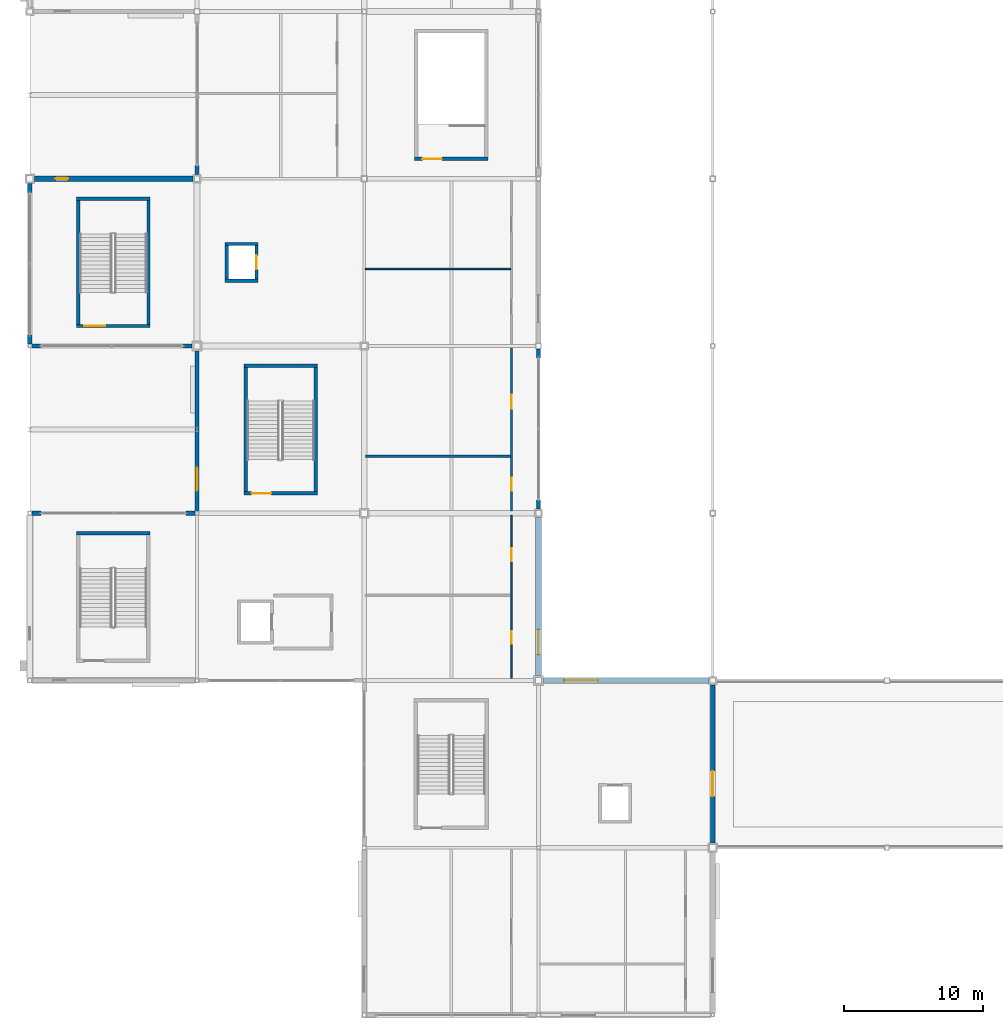
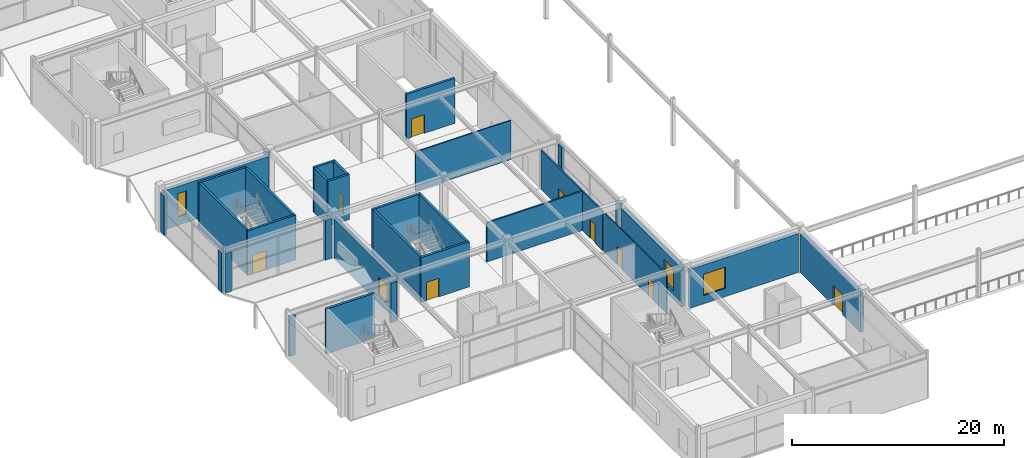
# One storey, part 73 of 105: 32 walls, 9 doors, 4 windows, 13 openings.
"""IFC4 building model written with IfcOpenShell, lengths in metres."""

from ifc_helpers import new_model, si_unit, direction, frame, frame_2d, origin, place, context, subcontext, project, spatial, rectangle, extrude, material, layer, layer_set, type_object, element, fill, save


model = new_model("IFC4")

# Units and contexts
model_context = context("Model", 3, precision=1e-05, world=origin(), true_north=direction((0.0, 1.0)))
body_context = subcontext(model_context, "Body", "Model", "MODEL_VIEW")
ifc_project = project(units=[si_unit("LENGTHUNIT", "METRE"), si_unit("AREAUNIT", "SQUARE_METRE"), si_unit("VOLUMEUNIT", "CUBIC_METRE"), si_unit("PLANEANGLEUNIT", "RADIAN"), si_unit("MASSUNIT", "GRAM", prefix="KILO")], contexts=[model_context])

# Site, building, storey
site_placement = place(None, origin())
site = spatial("IfcSite", under=ifc_project, at=site_placement, CompositionType="ELEMENT")
building_placement = place(site_placement, origin())
building = spatial("IfcBuilding", under=site, at=building_placement, Name="Kazenohara Klinker Stadium", CompositionType="ELEMENT")
storey_placement = place(building_placement, frame((0.0, 0.0, 20.39990234375)))
storey = spatial("IfcBuildingStorey", under=building, at=storey_placement, Name="L04", CompositionType="ELEMENT", Elevation=20.39990234375)

# Wall, opening, door
ifc_material_1 = material(Name="Concrete C40/50", Category="concrete")
ifc_layer_1 = layer(ifc_material_1, 0.22998046875)
ifc_layer_set_1 = layer_set([ifc_layer_1], Name="Concrete C40/50")
wall_type_1 = type_object("IfcWallType", Name="WAL-CORE-230", PredefinedType="SHEAR", material=ifc_layer_set_1)
wall_1_placement = place(storey_placement, frame((3.3701171875, 61.43505859375, 0.0), z_axis=(0.0, 0.0, 1.0), x_axis=(1.0, 0.0, 0.0)))
wall_1 = element("IfcWall", 1, at=wall_1_placement, inside=storey, type_object=wall_type_1, Name="Stairwell shear wall ST02 L04 South", PredefinedType="SHEAR", context=body_context, shape_type="SweptSolid", body=[
    extrude(rectangle(XDim=5.259765625, YDim=0.22998046875, at=frame_2d((2.6298828125, 0.0))), origin(), (0.0, 0.0, 1.0), 5.18017578125),
])
opening_1_placement = place(wall_1_placement, frame((0.550048828125, 0.0, 0.0)))
opening_1 = element("IfcOpeningElement", 2, at=opening_1_placement, cuts=wall_1, Name="Opening SD02", PredefinedType="OPENING", context=body_context, shape_type="SweptSolid", body=[
    extrude(rectangle(XDim=1.5, YDim=2.199951171875, at=frame_2d((0.75, 1.10009765625))), frame((0.0, 0.125, 0.0), z_axis=(0.0, -1.0, 0.0), x_axis=(1.0, 0.0, 0.0)), (0.0, 0.0, 1.0), 0.25),
])
ifc_material_2 = material(Name="Flush painted steel fire door leaf", Category="steel")
door_type_1 = type_object("IfcDoorType", Name="DR-STR-1500x2200", OperationType="NOTDEFINED", PredefinedType="DOOR", material=ifc_material_2)
door_1_placement = place(opening_1_placement, origin())
door_1 = element("IfcDoor", 3, at=door_1_placement, inside=storey, type_object=door_type_1, Name="Escape stairwell fire door ST02-L04", OperationType="SINGLE_SWING_LEFT", OverallHeight=2.199951171875, OverallWidth=1.5, PredefinedType="DOOR", context=body_context, shape_type="SweptSolid", body=[
    extrude(rectangle(XDim=1.5, YDim=2.199951171875, at=frame_2d((0.75, 1.10009765625))), frame((0.0, 0.02490234375, 0.0), z_axis=(0.0, -1.0, 0.0), x_axis=(1.0, 0.0, 0.0)), (0.0, 0.0, 1.0), 0.050048828125),
])
fill(opening_1, door_1)

# Walls
wall_2_placement = place(storey_placement, frame((3.3701171875, 70.56494140625, 0.0), z_axis=(0.0, 0.0, 1.0), x_axis=(1.0, 0.0, 0.0)))
element("IfcWall", 4, at=wall_2_placement, inside=storey, type_object=wall_type_1, Name="Stairwell shear wall ST02 L04 North", PredefinedType="SHEAR", context=body_context, shape_type="SweptSolid", body=[
    extrude(rectangle(XDim=5.259765625, YDim=0.22998046875, at=frame_2d((2.6298828125, 0.0))), origin(), (0.0, 0.0, 1.0), 5.18017578125),
])
for number, where, z_axis, x_axis, name in (
    (5, (3.485107421875, 61.550048828125, 0.0), (0.0, 0.0, 1.0), (0.0, 1.0, 0.0), "Stairwell shear wall ST02 L04 West"),
    (6, (8.514892578125, 61.550048828125, 0.0), (0.0, 0.0, 1.0), (0.0, 1.0, 0.0), "Stairwell shear wall ST02 L04 East"),
):
    element("IfcWall", number, at=place(storey_placement, frame(where, z_axis=z_axis, x_axis=x_axis)), inside=storey, type_object=wall_type_1, Name=name, PredefinedType="SHEAR", context=body_context, shape_type="SweptSolid", body=[
        extrude(rectangle(XDim=8.89990234375, YDim=0.22998046875, at=frame_2d((4.449951171875, 0.0))), origin(), (0.0, 0.0, 1.0), 5.18017578125),
    ])
for number, where, z_axis, x_axis, name in (
    (7, (14.02001953125, 64.68505859375, 0.0), (0.0, 0.0, 1.0), (1.0, 0.0, 0.0), "Elevator shaft wall LP01 L04 South"),
    (8, (14.02001953125, 67.31494140625, 0.0), (0.0, 0.0, 1.0), (1.0, 0.0, 0.0), "Elevator shaft wall LP01 L04 North"),
):
    element("IfcWall", number, at=place(storey_placement, frame(where, z_axis=z_axis, x_axis=x_axis)), inside=storey, type_object=wall_type_1, Name=name, PredefinedType="SHEAR", context=body_context, shape_type="SweptSolid", body=[
        extrude(rectangle(XDim=2.35986328125, YDim=0.22998046875, at=frame_2d((1.179931640625, 0.0))), origin(), (0.0, 0.0, 1.0), 5.18017578125),
    ])
wall_3_placement = place(storey_placement, frame((14.135009765625, 64.800048828125, 0.0), z_axis=(0.0, 0.0, 1.0), x_axis=(0.0, 1.0, 0.0)))
element("IfcWall", 9, at=wall_3_placement, inside=storey, type_object=wall_type_1, Name="Elevator shaft wall LP01 L04 West", PredefinedType="SHEAR", context=body_context, shape_type="SweptSolid", body=[
    extrude(rectangle(XDim=2.39990234375, YDim=0.22998046875, at=frame_2d((1.199951171875, 0.0))), origin(), (0.0, 0.0, 1.0), 5.18017578125),
])

# Wall, opening, door
wall_4_placement = place(storey_placement, frame((16.264892578125, 64.800048828125, 0.0), z_axis=(0.0, 0.0, 1.0), x_axis=(0.0, 1.0, 0.0)))
wall_4 = element("IfcWall", 10, at=wall_4_placement, inside=storey, type_object=wall_type_1, Name="Elevator shaft wall LP01 L04 East", PredefinedType="SHEAR", context=body_context, shape_type="SweptSolid", body=[
    extrude(rectangle(XDim=2.39990234375, YDim=0.22998046875, at=frame_2d((1.199951171875, 0.0))), origin(), (0.0, 0.0, 1.0), 5.18017578125),
])
opening_2_placement = place(wall_4_placement, frame((0.699951171875, 0.0, 0.0)))
opening_2 = element("IfcOpeningElement", 11, at=opening_2_placement, cuts=wall_4, Name="Opening LD02", PredefinedType="OPENING", context=body_context, shape_type="SweptSolid", body=[
    extrude(rectangle(XDim=1.0, YDim=2.14990234375, at=frame_2d((0.5, 1.074951171875))), frame((0.0, 0.125, 0.0), z_axis=(0.0, -1.0, 0.0), x_axis=(1.0, 0.0, 0.0)), (0.0, 0.0, 1.0), 0.25),
])
ifc_material_3 = material(Name="Stainless steel sliding landing door", Category="steel")
door_type_2 = type_object("IfcDoorType", Name="DR-LD02-1000x2150", OperationType="NOTDEFINED", PredefinedType="DOOR", material=ifc_material_3)
door_2_placement = place(opening_2_placement, origin())
door_2 = element("IfcDoor", 12, at=door_2_placement, inside=storey, type_object=door_type_2, Name="Elevator sliding landing door LP01-L04", OperationType="DOUBLE_DOOR_SLIDING", OverallHeight=2.14990234375, OverallWidth=1.0, PredefinedType="DOOR", context=body_context, shape_type="SweptSolid", body=[
    extrude(rectangle(XDim=1.0, YDim=2.14990234375, at=frame_2d((0.5, 1.074951171875))), frame((0.0, 0.02490234375, 0.0), z_axis=(0.0, -1.0, 0.0), x_axis=(1.0, 0.0, 0.0)), (0.0, 0.0, 1.0), 0.050048828125),
])
fill(opening_2, door_2)

# Wall
ifc_layer_2 = layer(ifc_material_1, 0.25)
ifc_layer_set_2 = layer_set([ifc_layer_2], Name="Concrete C40/50")
wall_type_2 = type_object("IfcWallType", Name="WAL-CORE-250", PredefinedType="SHEAR", material=ifc_layer_set_2)
wall_5_placement = place(storey_placement, frame((3.360107421875, 46.574951171875, 0.0), z_axis=(0.0, 0.0, 1.0), x_axis=(1.0, 0.0, 0.0)))
element("IfcWall", 13, at=wall_5_placement, inside=storey, type_object=wall_type_2, Name="Stairwell shear wall ST01 L04 North", PredefinedType="SHEAR", context=body_context, shape_type="SweptSolid", body=[
    extrude(rectangle(XDim=5.27978515625, YDim=0.25, at=frame_2d((2.639892578125, 0.0))), origin(), (0.0, 0.0, 1.0), 5.18017578125),
])

# Wall, opening, door
wall_6_placement = place(storey_placement, frame((15.360107421875, 49.425048828125, 0.0), z_axis=(0.0, 0.0, 1.0), x_axis=(1.0, 0.0, 0.0)))
wall_6 = element("IfcWall", 14, at=wall_6_placement, inside=storey, type_object=wall_type_2, Name="Stairwell shear wall ST13 L04 South", PredefinedType="SHEAR", context=body_context, shape_type="SweptSolid", body=[
    extrude(rectangle(XDim=5.27978515625, YDim=0.25, at=frame_2d((2.639892578125, 0.0))), origin(), (0.0, 0.0, 1.0), 5.18017578125),
])
opening_3_placement = place(wall_6_placement, frame((0.550048828125, 0.0, 0.0)))
opening_3 = element("IfcOpeningElement", 15, at=opening_3_placement, cuts=wall_6, Name="Opening SD01", PredefinedType="OPENING", context=body_context, shape_type="SweptSolid", body=[
    extrude(rectangle(XDim=1.39990234375, YDim=2.14990234375, at=frame_2d((0.699951171875, 1.074951171875))), frame((0.0, 0.135009765625, 0.0), z_axis=(0.0, -1.0, 0.0), x_axis=(1.0, 0.0, 0.0)), (0.0, 0.0, 1.0), 0.27001953125),
])
door_type_3 = type_object("IfcDoorType", Name="DR-STR-1400x2150", OperationType="NOTDEFINED", PredefinedType="DOOR", material=ifc_material_2)
door_3_placement = place(opening_3_placement, origin())
door_3 = element("IfcDoor", 16, at=door_3_placement, inside=storey, type_object=door_type_3, Name="Escape stairwell fire door ST13-L04", OperationType="SINGLE_SWING_LEFT", OverallHeight=2.14990234375, OverallWidth=1.39990234375, PredefinedType="DOOR", context=body_context, shape_type="SweptSolid", body=[
    extrude(rectangle(XDim=1.39990234375, YDim=2.14990234375, at=frame_2d((0.699951171875, 1.074951171875))), frame((0.0, 0.02490234375, 0.0), z_axis=(0.0, -1.0, 0.0), x_axis=(1.0, 0.0, 0.0)), (0.0, 0.0, 1.0), 0.050048828125),
])
fill(opening_3, door_3)

# Walls
wall_7_placement = place(storey_placement, frame((15.360107421875, 58.574951171875, 0.0), z_axis=(0.0, 0.0, 1.0), x_axis=(1.0, 0.0, 0.0)))
element("IfcWall", 17, at=wall_7_placement, inside=storey, type_object=wall_type_2, Name="Stairwell shear wall ST13 L04 North", PredefinedType="SHEAR", context=body_context, shape_type="SweptSolid", body=[
    extrude(rectangle(XDim=5.27978515625, YDim=0.25, at=frame_2d((2.639892578125, 0.0))), origin(), (0.0, 0.0, 1.0), 5.18017578125),
])
for number, where, z_axis, x_axis, name in (
    (18, (15.485107421875, 49.550048828125, 0.0), (0.0, 0.0, 1.0), (0.0, 1.0, 0.0), "Stairwell shear wall ST13 L04 West"),
    (19, (20.514892578125, 49.550048828125, 0.0), (0.0, 0.0, 1.0), (0.0, 1.0, 0.0), "Stairwell shear wall ST13 L04 East"),
):
    element("IfcWall", number, at=place(storey_placement, frame(where, z_axis=z_axis, x_axis=x_axis)), inside=storey, type_object=wall_type_2, Name=name, PredefinedType="SHEAR", context=body_context, shape_type="SweptSolid", body=[
        extrude(rectangle(XDim=8.89990234375, YDim=0.25, at=frame_2d((4.449951171875, 0.0))), origin(), (0.0, 0.0, 1.0), 5.18017578125),
    ])

# Wall, opening, door
wall_8_placement = place(storey_placement, frame((27.610107421875, 73.425048828125, 0.0), z_axis=(0.0, 0.0, 1.0), x_axis=(1.0, 0.0, 0.0)))
wall_8 = element("IfcWall", 20, at=wall_8_placement, inside=storey, type_object=wall_type_2, Name="Stairwell shear wall ST17 L04 South", PredefinedType="SHEAR", context=body_context, shape_type="SweptSolid", body=[
    extrude(rectangle(XDim=5.27978515625, YDim=0.25, at=frame_2d((2.639892578125, 0.0))), origin(), (0.0, 0.0, 1.0), 5.18017578125),
])
opening_4_placement = place(wall_8_placement, frame((0.550048828125, 0.0, 0.0)))
opening_4 = element("IfcOpeningElement", 21, at=opening_4_placement, cuts=wall_8, Name="Opening SD01", PredefinedType="OPENING", context=body_context, shape_type="SweptSolid", body=[
    extrude(rectangle(XDim=1.39990234375, YDim=2.14990234375, at=frame_2d((0.699951171875, 1.074951171875))), frame((0.0, 0.135009765625, 0.0), z_axis=(0.0, -1.0, 0.0), x_axis=(1.0, 0.0, 0.0)), (0.0, 0.0, 1.0), 0.27001953125),
])
door_4_placement = place(opening_4_placement, origin())
door_4 = element("IfcDoor", 22, at=door_4_placement, inside=storey, type_object=door_type_3, Name="Escape stairwell fire door ST17-L04", OperationType="SINGLE_SWING_LEFT", OverallHeight=2.14990234375, OverallWidth=1.39990234375, PredefinedType="DOOR", context=body_context, shape_type="SweptSolid", body=[
    extrude(rectangle(XDim=1.39990234375, YDim=2.14990234375, at=frame_2d((0.699951171875, 1.074951171875))), frame((0.0, 0.02490234375, 0.0), z_axis=(0.0, -1.0, 0.0), x_axis=(1.0, 0.0, 0.0)), (0.0, 0.0, 1.0), 0.050048828125),
])
fill(opening_4, door_4)

# Walls
ifc_material_4 = material(Name="Clinker brick masonry", Category="masonry")
ifc_layer_3 = layer(ifc_material_4, 0.31005859375)
ifc_layer_set_3 = layer_set([ifc_layer_3], Name="Clinker brick masonry")
wall_type_3 = type_object("IfcWallType", Name="WAL-EXT-CB310", PredefinedType="SOLIDWALL", material=ifc_layer_set_3)
wall_9_placement = place(storey_placement, frame((0.154052734375, 48.0, 0.0), z_axis=(0.0, 0.0, 1.0), x_axis=(1.0, 0.0, 0.0)))
element("IfcWall", 23, at=wall_9_placement, inside=storey, type_object=wall_type_3, Name="Clinker brick curtain-wall jamb pier L04 X0-4 A", PredefinedType="SOLIDWALL", context=body_context, shape_type="SweptSolid", body=[
    extrude(rectangle(XDim=0.64990234375, YDim=0.31005859375, at=frame_2d((0.324951171875, 0.0))), origin(), (0.0, 0.0, 1.0), 4.580078125),
])
wall_10_placement = place(storey_placement, frame((11.220947265625, 48.0, 0.0), z_axis=(0.0, 0.0, 1.0), x_axis=(1.0, 0.0, 0.0)))
element("IfcWall", 24, at=wall_10_placement, inside=storey, type_object=wall_type_3, Name="Clinker brick curtain-wall jamb pier L04 X0-4 B", PredefinedType="SOLIDWALL", context=body_context, shape_type="SweptSolid", body=[
    extrude(rectangle(XDim=0.650146484375, YDim=0.31005859375, at=frame_2d((0.3251953125, 0.0))), origin(), (0.0, 0.0, 1.0), 4.580078125),
])
wall_11_placement = place(storey_placement, frame((0.12890625, 60.0, 0.0), z_axis=(0.0, 0.0, 1.0), x_axis=(1.0, 0.0, 0.0)))
element("IfcWall", 25, at=wall_11_placement, inside=storey, type_object=wall_type_3, Name="Clinker brick curtain-wall jamb pier L04 X0-5 A", PredefinedType="SOLIDWALL", context=body_context, shape_type="SweptSolid", body=[
    extrude(rectangle(XDim=0.650146484375, YDim=0.31005859375, at=frame_2d((0.3251953125, 0.0))), origin(), (0.0, 0.0, 1.0), 4.592041015625),
])
wall_12_placement = place(storey_placement, frame((10.99609375, 60.0, 0.0), z_axis=(0.0, 0.0, 1.0), x_axis=(1.0, 0.0, 0.0)))
element("IfcWall", 26, at=wall_12_placement, inside=storey, type_object=wall_type_3, Name="Clinker brick curtain-wall jamb pier L04 X0-5 B", PredefinedType="SOLIDWALL", context=body_context, shape_type="SweptSolid", body=[
    extrude(rectangle(XDim=0.64990234375, YDim=0.31005859375, at=frame_2d((0.324951171875, 0.0))), origin(), (0.0, 0.0, 1.0), 4.592041015625),
])
wall_13_placement = place(storey_placement, frame((0.0, 60.12890625, 0.0), z_axis=(0.0, 0.0, 1.0), x_axis=(0.0, 1.0, 0.0)))
element("IfcWall", 27, at=wall_13_placement, inside=storey, type_object=wall_type_3, Name="Clinker brick curtain-wall jamb pier L04 Y0-5 A", PredefinedType="SOLIDWALL", context=body_context, shape_type="SweptSolid", body=[
    extrude(rectangle(XDim=0.650146484375, YDim=0.31005859375, at=frame_2d((0.3251953125, 0.0))), origin(), (0.0, 0.0, 1.0), 4.592041015625),
])
wall_14_placement = place(storey_placement, frame((0.0, 70.99609375, 0.0), z_axis=(0.0, 0.0, 1.0), x_axis=(0.0, 1.0, 0.0)))
element("IfcWall", 28, at=wall_14_placement, inside=storey, type_object=wall_type_3, Name="Clinker brick curtain-wall jamb pier L04 Y0-5 B", PredefinedType="SOLIDWALL", context=body_context, shape_type="SweptSolid", body=[
    extrude(rectangle(XDim=0.64990234375, YDim=0.31005859375, at=frame_2d((0.324951171875, 0.0))), origin(), (0.0, 0.0, 1.0), 4.592041015625),
])

# Wall, opening, window
wall_15_placement = place(storey_placement, frame((12.0, 48.12890625, 0.0), z_axis=(0.0, 0.0, 1.0), x_axis=(0.0, 1.0, 0.0)))
wall_15 = element("IfcWall", 29, at=wall_15_placement, inside=storey, type_object=wall_type_3, Name="Clinker brick cavity wall EW05 L04 Y1-4", PredefinedType="SOLIDWALL", context=body_context, shape_type="SweptSolid", body=[
    extrude(rectangle(XDim=11.51708984375, YDim=0.31005859375, at=frame_2d((5.758544921875, 0.0))), origin(), (0.0, 0.0, 1.0), 4.592041015625),
])
opening_5_placement = place(wall_15_placement, frame((1.5, 0.0, 0.949951171875)))
opening_5 = element("IfcOpeningElement", 30, at=opening_5_placement, cuts=wall_15, Name="Opening W11", PredefinedType="OPENING", context=body_context, shape_type="SweptSolid", body=[
    extrude(rectangle(XDim=1.64990234375, YDim=2.050048828125, at=frame_2d((0.824951171875, 1.02490234375))), frame((0.0, 0.1650390625, 0.0), z_axis=(0.0, -1.0, 0.0), x_axis=(1.0, 0.0, 0.0)), (0.0, 0.0, 1.0), 0.330078125),
])
ifc_material_5 = material(Name="Dark bronze aluminium frame and triple glazing", Category="aluminium")
window_type_1 = type_object("IfcWindowType", Name="WIN-AS-11", PartitioningType="SINGLE_PANEL", PredefinedType="WINDOW", material=ifc_material_5)
window_1_placement = place(opening_5_placement, origin())
window_1 = element("IfcWindow", 31, at=window_1_placement, inside=storey, type_object=window_type_1, Name="Horizontal-mullion ladder window W11 L04 Y1-4", OverallHeight=2.050048828125, OverallWidth=1.64990234375, PartitioningType="SINGLE_PANEL", PredefinedType="WINDOW", context=body_context, shape_type="SweptSolid", body=[
    extrude(rectangle(XDim=1.64990234375, YDim=2.050048828125, at=frame_2d((0.824951171875, 1.02490234375))), frame((0.0, 0.030029296875, 0.0), z_axis=(0.0, -1.0, 0.0), x_axis=(1.0, 0.0, 0.0)), (0.0, 0.0, 1.0), 0.06005859375),
])
fill(opening_5, window_1)

# Walls
for number, where, z_axis, x_axis, name in (
    (32, (12.0, 72.303955078125, 0.0), (0.0, 0.0, 1.0), (0.0, 1.0, 0.0), "Clinker brick curtain-wall jamb pier L04 Y1-6 A"),
    (33, (36.5, 48.303955078125, 0.0), (0.0, 0.0, 1.0), (0.0, 1.0, 0.0), "Clinker brick curtain-wall jamb pier L04 Y3-4 A"),
):
    element("IfcWall", number, at=place(storey_placement, frame(where, z_axis=z_axis, x_axis=x_axis)), inside=storey, type_object=wall_type_3, Name=name, PredefinedType="SOLIDWALL", context=body_context, shape_type="SweptSolid", body=[
        extrude(rectangle(XDim=0.650146484375, YDim=0.31005859375, at=frame_2d((0.3251953125, 0.0))), origin(), (0.0, 0.0, 1.0), 4.580078125),
    ])
wall_16_placement = place(storey_placement, frame((36.5, 59.14599609375, 0.0), z_axis=(0.0, 0.0, 1.0), x_axis=(0.0, 1.0, 0.0)))
element("IfcWall", 34, at=wall_16_placement, inside=storey, type_object=wall_type_3, Name="Clinker brick curtain-wall jamb pier L04 Y3-4 B", PredefinedType="SOLIDWALL", context=body_context, shape_type="SweptSolid", body=[
    extrude(rectangle(XDim=0.64990234375, YDim=0.31005859375, at=frame_2d((0.324951171875, 0.0))), origin(), (0.0, 0.0, 1.0), 4.580078125),
])

# Wall, opening, door
ifc_layer_4 = layer(ifc_material_4, 0.340087890625)
ifc_layer_set_4 = layer_set([ifc_layer_4], Name="Clinker brick masonry")
wall_type_4 = type_object("IfcWallType", Name="WAL-EXT-CB340", PredefinedType="SOLIDWALL", material=ifc_layer_set_4)
wall_17_placement = place(storey_placement, frame((49.0, 24.35400390625, 0.0), z_axis=(0.0, 0.0, 1.0), x_axis=(0.0, 1.0, 0.0)))
wall_17 = element("IfcWall", 35, at=wall_17_placement, inside=storey, type_object=wall_type_4, Name="Clinker brick cavity wall EW04 L04 Y4-2", PredefinedType="SOLIDWALL", context=body_context, shape_type="SweptSolid", body=[
    extrude(rectangle(XDim=11.342041015625, YDim=0.340087890625, at=frame_2d((5.6708984375, 0.0))), origin(), (0.0, 0.0, 1.0), 4.47998046875),
])
opening_6_placement = place(wall_17_placement, frame((5.1396484375, 0.0, 0.0), z_axis=(0.0, 0.0, 1.0), x_axis=(-1.0, 0.0, 0.0)))
opening_6 = element("IfcOpeningElement", 36, at=opening_6_placement, cuts=wall_17, Name="Opening TD01", PredefinedType="OPENING", context=body_context, shape_type="SweptSolid", body=[
    extrude(rectangle(XDim=1.800048828125, YDim=2.300048828125, at=frame_2d((0.89990234375, 1.14990234375))), frame((0.0, 0.18017578125, 0.0), z_axis=(0.0, -1.0, 0.0), x_axis=(1.0, 0.0, 0.0)), (0.0, 0.0, 1.0), 0.360107421875),
])
ifc_material_6 = material(Name="Thermally broken aluminium and triple glazing", Category="aluminium")
door_type_4 = type_object("IfcDoorType", Name="DR-TER-1800x2300", OperationType="NOTDEFINED", PredefinedType="DOOR", material=ifc_material_6)
door_5_placement = place(opening_6_placement, origin())
door_5 = element("IfcDoor", 37, at=door_5_placement, inside=storey, type_object=door_type_4, Name="South roof garden terrace door TDS-01", OperationType="DOUBLE_DOOR_SINGLE_SWING", OverallHeight=2.300048828125, OverallWidth=1.800048828125, PredefinedType="DOOR", context=body_context, shape_type="SweptSolid", body=[
    extrude(rectangle(XDim=1.800048828125, YDim=2.300048828125, at=frame_2d((0.89990234375, 1.14990234375))), frame((0.0, 0.02490234375, 0.0), z_axis=(0.0, -1.0, 0.0), x_axis=(1.0, 0.0, 0.0)), (0.0, 0.0, 1.0), 0.050048828125),
])
fill(opening_6, door_5)

# Wall, opening, window
ifc_layer_5 = layer(ifc_material_4, 0.3701171875)
ifc_layer_set_5 = layer_set([ifc_layer_5], Name="Clinker brick masonry")
wall_type_5 = type_object("IfcWallType", Name="WAL-EXT-CB370", PredefinedType="SOLIDWALL", material=ifc_layer_set_5)
wall_18_placement = place(storey_placement, frame((0.35400390625, 72.0, 0.0), z_axis=(0.0, 0.0, 1.0), x_axis=(1.0, 0.0, 0.0)))
wall_18 = element("IfcWall", 38, at=wall_18_placement, inside=storey, type_object=wall_type_5, Name="Clinker brick cavity wall EW03 L04 X0-6", PredefinedType="SOLIDWALL", context=body_context, shape_type="SweptSolid", body=[
    extrude(rectangle(XDim=11.342041015625, YDim=0.3701171875, at=frame_2d((5.6708984375, 0.0))), origin(), (0.0, 0.0, 1.0), 4.47998046875),
])
opening_7_placement = place(wall_18_placement, frame((1.5, 0.0, 0.949951171875)))
opening_7 = element("IfcOpeningElement", 39, at=opening_7_placement, cuts=wall_18, Name="Opening W03", PredefinedType="OPENING", context=body_context, shape_type="SweptSolid", body=[
    extrude(rectangle(XDim=0.89990234375, YDim=2.699951171875, at=frame_2d((0.449951171875, 1.35009765625))), frame((0.0, 0.195068359375, 0.0), z_axis=(0.0, -1.0, 0.0), x_axis=(1.0, 0.0, 0.0)), (0.0, 0.0, 1.0), 0.39013671875),
])
window_type_2 = type_object("IfcWindowType", Name="WIN-AS-03", PartitioningType="SINGLE_PANEL", PredefinedType="WINDOW", material=ifc_material_5)
window_2_placement = place(opening_7_placement, origin())
window_2 = element("IfcWindow", 40, at=window_2_placement, inside=storey, type_object=window_type_2, Name="Horizontal-mullion ladder window W03 L04 X0-6", OverallHeight=2.699951171875, OverallWidth=0.89990234375, PartitioningType="SINGLE_PANEL", PredefinedType="WINDOW", context=body_context, shape_type="SweptSolid", body=[
    extrude(rectangle(XDim=0.89990234375, YDim=2.699951171875, at=frame_2d((0.449951171875, 1.35009765625))), frame((0.0, 0.030029296875, 0.0), z_axis=(0.0, -1.0, 0.0), x_axis=(1.0, 0.0, 0.0)), (0.0, 0.0, 1.0), 0.06005859375),
])
fill(opening_7, window_2)

wall_19_placement = place(storey_placement, frame((36.85400390625, 36.0, 0.0), z_axis=(0.0, 0.0, 1.0), x_axis=(1.0, 0.0, 0.0)))
wall_19 = element("IfcWall", 41, at=wall_19_placement, inside=storey, type_object=wall_type_5, Name="Clinker brick cavity wall EW03 L04 X3-3", PredefinedType="SOLIDWALL", context=body_context, shape_type="SweptSolid", body=[
    extrude(rectangle(XDim=11.842041015625, YDim=0.3701171875, at=frame_2d((5.9208984375, 0.0))), origin(), (0.0, 0.0, 1.0), 4.47998046875),
])
opening_8_placement = place(wall_19_placement, frame((1.5, 0.0, 0.949951171875)))
opening_8 = element("IfcOpeningElement", 42, at=opening_8_placement, cuts=wall_19, Name="Opening W25", PredefinedType="OPENING", context=body_context, shape_type="SweptSolid", body=[
    extrude(rectangle(XDim=2.39990234375, YDim=2.449951171875, at=frame_2d((1.199951171875, 1.22509765625))), frame((0.0, 0.195068359375, 0.0), z_axis=(0.0, -1.0, 0.0), x_axis=(1.0, 0.0, 0.0)), (0.0, 0.0, 1.0), 0.39013671875),
])
window_type_3 = type_object("IfcWindowType", Name="WIN-AS-25", PartitioningType="SINGLE_PANEL", PredefinedType="WINDOW", material=ifc_material_5)
window_3_placement = place(opening_8_placement, origin())
window_3 = element("IfcWindow", 43, at=window_3_placement, inside=storey, type_object=window_type_3, Name="Horizontal-mullion ladder window W25 L04 X3-3", OverallHeight=2.449951171875, OverallWidth=2.39990234375, PartitioningType="SINGLE_PANEL", PredefinedType="WINDOW", context=body_context, shape_type="SweptSolid", body=[
    extrude(rectangle(XDim=2.39990234375, YDim=2.449951171875, at=frame_2d((1.199951171875, 1.22509765625))), frame((0.0, 0.030029296875, 0.0), z_axis=(0.0, -1.0, 0.0), x_axis=(1.0, 0.0, 0.0)), (0.0, 0.0, 1.0), 0.06005859375),
])
fill(opening_8, window_3)

ifc_layer_6 = layer(ifc_material_4, 0.449951171875)
ifc_layer_set_6 = layer_set([ifc_layer_6], Name="Clinker brick masonry")
wall_type_6 = type_object("IfcWallType", Name="WAL-EXT-CB450", PredefinedType="SOLIDWALL", material=ifc_layer_set_6)
wall_20_placement = place(storey_placement, frame((36.5, 36.35400390625, 0.0), z_axis=(0.0, 0.0, 1.0), x_axis=(0.0, 1.0, 0.0)))
wall_20 = element("IfcWall", 44, at=wall_20_placement, inside=storey, type_object=wall_type_6, Name="Clinker brick cavity wall EW01 L04 Y3-3", PredefinedType="SOLIDWALL", context=body_context, shape_type="SweptSolid", body=[
    extrude(rectangle(XDim=11.342041015625, YDim=0.449951171875, at=frame_2d((5.6708984375, 0.0))), origin(), (0.0, 0.0, 1.0), 4.47998046875),
])
opening_9_placement = place(wall_20_placement, frame((1.5, 0.0, 0.949951171875)))
opening_9 = element("IfcOpeningElement", 45, at=opening_9_placement, cuts=wall_20, Name="Opening W15", PredefinedType="OPENING", context=body_context, shape_type="SweptSolid", body=[
    extrude(rectangle(XDim=1.800048828125, YDim=2.550048828125, at=frame_2d((0.89990234375, 1.27490234375))), frame((0.0, 0.23486328125, 0.0), z_axis=(0.0, -1.0, 0.0), x_axis=(1.0, 0.0, 0.0)), (0.0, 0.0, 1.0), 0.469970703125),
])
window_type_4 = type_object("IfcWindowType", Name="WIN-AS-15", PartitioningType="SINGLE_PANEL", PredefinedType="WINDOW", material=ifc_material_5)
window_4_placement = place(opening_9_placement, origin())
window_4 = element("IfcWindow", 46, at=window_4_placement, inside=storey, type_object=window_type_4, Name="Horizontal-mullion ladder window W15 L04 Y3-3", OverallHeight=2.550048828125, OverallWidth=1.800048828125, PartitioningType="SINGLE_PANEL", PredefinedType="WINDOW", context=body_context, shape_type="SweptSolid", body=[
    extrude(rectangle(XDim=1.800048828125, YDim=2.550048828125, at=frame_2d((0.89990234375, 1.27490234375))), frame((0.0, 0.030029296875, 0.0), z_axis=(0.0, -1.0, 0.0), x_axis=(1.0, 0.0, 0.0)), (0.0, 0.0, 1.0), 0.06005859375),
])
fill(opening_9, window_4)

# Wall, openings, doors
ifc_material_7 = material(Name="Fire-rated gypsum board on acoustic studs", Category="gypsum")
ifc_layer_7 = layer(ifc_material_7, 0.110107421875)
ifc_layer_set_7 = layer_set([ifc_layer_7], Name="Fire-rated gypsum board on acoustic studs")
wall_type_7 = type_object("IfcWallType", Name="WAL-INT-P110", PredefinedType="PARTITIONING", material=ifc_layer_set_7)
wall_21_placement = place(storey_placement, frame((34.56005859375, 36.159912109375, 0.0), z_axis=(0.0, 0.0, 1.0), x_axis=(0.0, 1.0, 0.0)))
wall_21 = element("IfcWall", 47, at=wall_21_placement, inside=storey, type_object=wall_type_7, Name="Interior partition wall PT01 SPC-L04-02-03-1-1", PredefinedType="PARTITIONING", context=body_context, shape_type="SweptSolid", body=[
    extrude(rectangle(XDim=11.68017578125, YDim=0.110107421875, at=frame_2d((5.840087890625, 0.0))), origin(), (0.0, 0.0, 1.0), 4.52001953125),
])
opening_10_placement = place(wall_21_placement, frame((2.48828125, 0.0, 0.0)))
opening_10 = element("IfcOpeningElement", 48, at=opening_10_placement, cuts=wall_21, Name="Opening ID01", PredefinedType="OPENING", context=body_context, shape_type="SweptSolid", body=[
    extrude(rectangle(XDim=0.89990234375, YDim=2.06005859375, at=frame_2d((0.449951171875, 1.030029296875))), frame((0.0, 0.06494140625, 0.0), z_axis=(0.0, -1.0, 0.0), x_axis=(1.0, 0.0, 0.0)), (0.0, 0.0, 1.0), 0.130126953125),
])
opening_11_placement = place(wall_21_placement, frame((8.3984375, 0.0, 0.0)))
opening_11 = element("IfcOpeningElement", 49, at=opening_11_placement, cuts=wall_21, Name="Opening ID02", PredefinedType="OPENING", context=body_context, shape_type="SweptSolid", body=[
    extrude(rectangle(XDim=0.919921875, YDim=2.10009765625, at=frame_2d((0.4599609375, 1.050048828125))), frame((0.0, 0.06494140625, 0.0), z_axis=(0.0, -1.0, 0.0), x_axis=(1.0, 0.0, 0.0)), (0.0, 0.0, 1.0), 0.130126953125),
])
ifc_material_8 = material(Name="Solid-core Hokkaido oak fire door", Category="wood")
door_type_5 = type_object("IfcDoorType", Name="DR-INT-01", OperationType="NOTDEFINED", PredefinedType="DOOR", material=ifc_material_8)
door_6_placement = place(opening_10_placement, origin())
door_6 = element("IfcDoor", 50, at=door_6_placement, inside=storey, type_object=door_type_5, Name="Interior door ID01 Terrace Garden Sky Banquet Hall L04-0203A", OperationType="SINGLE_SWING_RIGHT", OverallHeight=2.06005859375, OverallWidth=0.89990234375, PredefinedType="DOOR", context=body_context, shape_type="SweptSolid", body=[
    extrude(rectangle(XDim=0.89990234375, YDim=2.06005859375, at=frame_2d((0.449951171875, 1.030029296875))), frame((0.0, 0.02490234375, 0.0), z_axis=(0.0, -1.0, 0.0), x_axis=(1.0, 0.0, 0.0)), (0.0, 0.0, 1.0), 0.050048828125),
])
fill(opening_10, door_6)
door_type_6 = type_object("IfcDoorType", Name="DR-INT-02", OperationType="NOTDEFINED", PredefinedType="DOOR", material=ifc_material_8)
door_7_placement = place(opening_11_placement, origin())
door_7 = element("IfcDoor", 51, at=door_7_placement, inside=storey, type_object=door_type_6, Name="Interior door ID02 Executive Club Dining Suite L04-0203B", OperationType="SINGLE_SWING_LEFT", OverallHeight=2.10009765625, OverallWidth=0.919921875, PredefinedType="DOOR", context=body_context, shape_type="SweptSolid", body=[
    extrude(rectangle(XDim=0.919921875, YDim=2.10009765625, at=frame_2d((0.4599609375, 1.050048828125))), frame((0.0, 0.02490234375, 0.0), z_axis=(0.0, -1.0, 0.0), x_axis=(1.0, 0.0, 0.0)), (0.0, 0.0, 1.0), 0.050048828125),
])
fill(opening_11, door_7)

# Wall
ifc_layer_8 = layer(ifc_material_7, 0.1201171875)
ifc_layer_set_8 = layer_set([ifc_layer_8], Name="Fire-rated gypsum board on acoustic studs")
wall_type_8 = type_object("IfcWallType", Name="WAL-INT-P120", PredefinedType="PARTITIONING", material=ifc_layer_set_8)
wall_22_placement = place(storey_placement, frame((24.080078125, 65.53271484375, 0.0), z_axis=(0.0, 0.0, 1.0), x_axis=(1.0, 0.0, 0.0)))
element("IfcWall", 52, at=wall_22_placement, inside=storey, type_object=wall_type_8, Name="Interior partition wall PT02 SPC-L04-02-05-1-2", PredefinedType="PARTITIONING", context=body_context, shape_type="SweptSolid", body=[
    extrude(rectangle(XDim=10.419921875, YDim=0.1201171875, at=frame_2d((5.2099609375, 0.0))), origin(), (0.0, 0.0, 1.0), 4.52001953125),
])

# Wall, openings, doors
ifc_layer_9 = layer(ifc_material_7, 0.14990234375)
ifc_layer_set_9 = layer_set([ifc_layer_9], Name="Fire-rated gypsum board on acoustic studs")
wall_type_9 = type_object("IfcWallType", Name="WAL-INT-P150", PredefinedType="PARTITIONING", material=ifc_layer_set_9)
wall_23_placement = place(storey_placement, frame((34.56005859375, 48.159912109375, 0.0), z_axis=(0.0, 0.0, 1.0), x_axis=(0.0, 1.0, 0.0)))
wall_23 = element("IfcWall", 53, at=wall_23_placement, inside=storey, type_object=wall_type_9, Name="Interior partition wall PT04 SPC-L04-02-04-1-1", PredefinedType="PARTITIONING", context=body_context, shape_type="SweptSolid", body=[
    extrude(rectangle(XDim=11.68017578125, YDim=0.14990234375, at=frame_2d((5.840087890625, 0.0))), origin(), (0.0, 0.0, 1.0), 4.52001953125),
])
opening_12_placement = place(wall_23_placement, frame((1.447265625, 0.0, 0.0)))
opening_12 = element("IfcOpeningElement", 54, at=opening_12_placement, cuts=wall_23, Name="Opening ID03", PredefinedType="OPENING", context=body_context, shape_type="SweptSolid", body=[
    extrude(rectangle(XDim=0.949951171875, YDim=2.1201171875, at=frame_2d((0.47509765625, 1.06005859375))), frame((0.0, 0.0849609375, 0.0), z_axis=(0.0, -1.0, 0.0), x_axis=(1.0, 0.0, 0.0)), (0.0, 0.0, 1.0), 0.169921875),
])
opening_13_placement = place(wall_23_placement, frame((7.352294921875, 0.0, 0.0)))
opening_13 = element("IfcOpeningElement", 55, at=opening_13_placement, cuts=wall_23, Name="Opening ID04", PredefinedType="OPENING", context=body_context, shape_type="SweptSolid", body=[
    extrude(rectangle(XDim=0.97998046875, YDim=2.10009765625, at=frame_2d((0.489990234375, 1.050048828125))), frame((0.0, 0.0849609375, 0.0), z_axis=(0.0, -1.0, 0.0), x_axis=(1.0, 0.0, 0.0)), (0.0, 0.0, 1.0), 0.169921875),
])
door_type_7 = type_object("IfcDoorType", Name="DR-INT-03", OperationType="NOTDEFINED", PredefinedType="DOOR", material=ifc_material_8)
door_8_placement = place(opening_12_placement, origin())
door_8 = element("IfcDoor", 56, at=door_8_placement, inside=storey, type_object=door_type_7, Name="Interior door ID03 Heat-Recovery Air Handling Plant L04-0204A", OperationType="SINGLE_SWING_RIGHT", OverallHeight=2.1201171875, OverallWidth=0.949951171875, PredefinedType="DOOR", context=body_context, shape_type="SweptSolid", body=[
    extrude(rectangle(XDim=0.949951171875, YDim=2.1201171875, at=frame_2d((0.47509765625, 1.06005859375))), frame((0.0, 0.02490234375, 0.0), z_axis=(0.0, -1.0, 0.0), x_axis=(1.0, 0.0, 0.0)), (0.0, 0.0, 1.0), 0.050048828125),
])
fill(opening_12, door_8)
door_type_8 = type_object("IfcDoorType", Name="DR-INT-04", OperationType="NOTDEFINED", PredefinedType="DOOR", material=ifc_material_8)
door_9_placement = place(opening_13_placement, origin())
door_9 = element("IfcDoor", 57, at=door_9_placement, inside=storey, type_object=door_type_8, Name="Interior door ID04 Championship Trophy Exhibition Gallery L04-0204B", OperationType="SINGLE_SWING_LEFT", OverallHeight=2.10009765625, OverallWidth=0.97998046875, PredefinedType="DOOR", context=body_context, shape_type="SweptSolid", body=[
    extrude(rectangle(XDim=0.97998046875, YDim=2.10009765625, at=frame_2d((0.489990234375, 1.050048828125))), frame((0.0, 0.02490234375, 0.0), z_axis=(0.0, -1.0, 0.0), x_axis=(1.0, 0.0, 0.0)), (0.0, 0.0, 1.0), 0.050048828125),
])
fill(opening_13, door_9)

# Wall
ifc_layer_10 = layer(ifc_material_7, 0.169921875)
ifc_layer_set_10 = layer_set([ifc_layer_10], Name="Fire-rated gypsum board on acoustic studs")
wall_type_10 = type_object("IfcWallType", Name="WAL-INT-P170", PredefinedType="PARTITIONING", material=ifc_layer_set_10)
wall_24_placement = place(storey_placement, frame((24.080078125, 52.08447265625, 0.0), z_axis=(0.0, 0.0, 1.0), x_axis=(1.0, 0.0, 0.0)))
element("IfcWall", 58, at=wall_24_placement, inside=storey, type_object=wall_type_10, Name="Interior partition wall PT05 SPC-L04-02-04-1-2", PredefinedType="PARTITIONING", context=body_context, shape_type="SweptSolid", body=[
    extrude(rectangle(XDim=10.39990234375, YDim=0.169921875, at=frame_2d((5.199951171875, 0.0))), origin(), (0.0, 0.0, 1.0), 4.52001953125),
])

save(model, "model.ifc")
